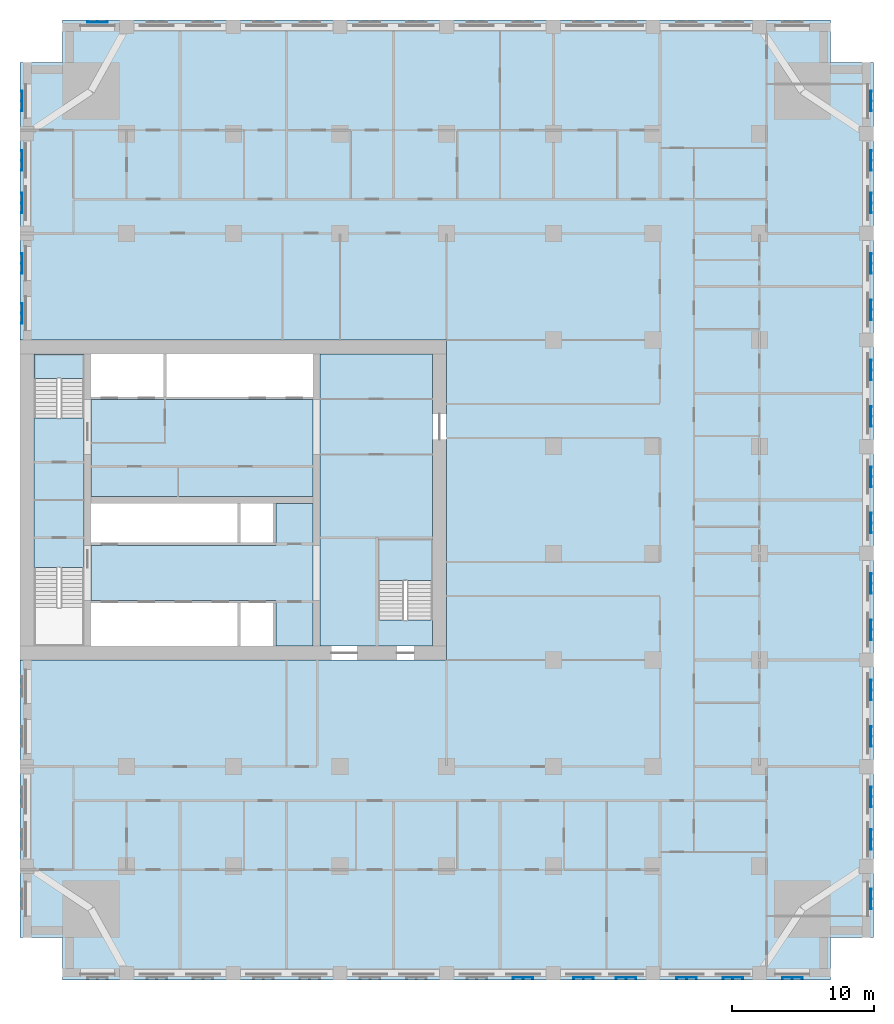
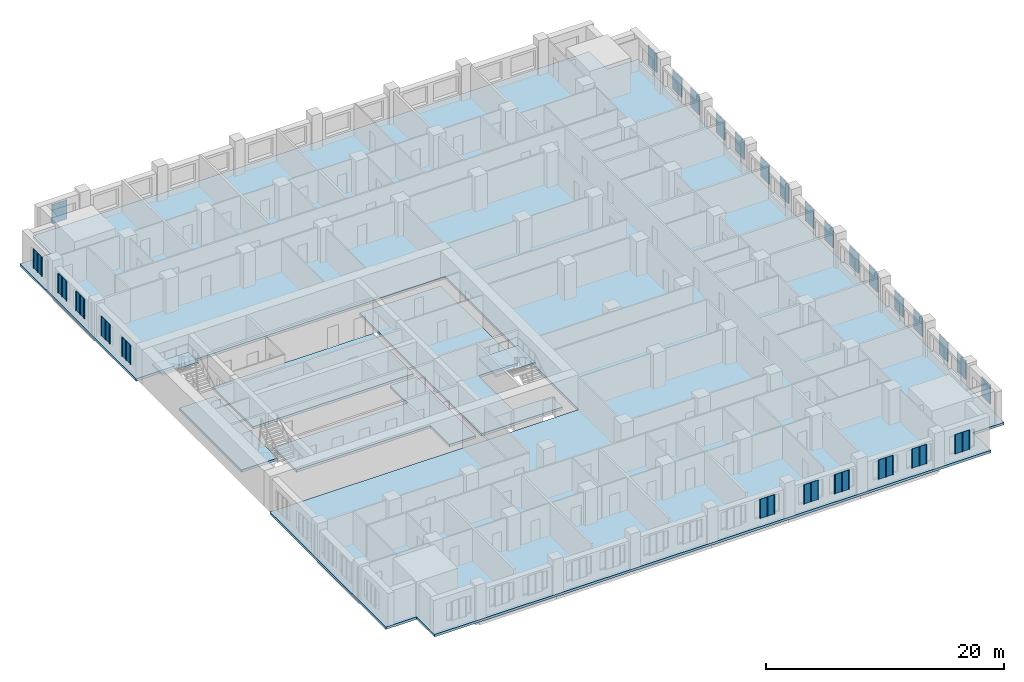
# One storey, part 2 of 14: 28 plates, 7 slabs, 2 elements without a shape of their own.
"""IFC4 building model written with IfcOpenShell, lengths in metres."""

from ifc_helpers import new_model, si_unit, direction, frame, origin, place, context, subcontext, project, spatial, polyline, outline, extrude, material, layer, layer_set, type_object, element, aggregate, save


model = new_model("IFC4")

# Units and contexts
model_context = context("Model", 3, precision=1e-05, world=origin(), true_north=direction((0.0, 1.0)))
body_context = subcontext(model_context, "Body", "Model", "MODEL_VIEW")
ifc_project = project(units=[si_unit("LENGTHUNIT", "METRE"), si_unit("AREAUNIT", "SQUARE_METRE"), si_unit("VOLUMEUNIT", "CUBIC_METRE"), si_unit("PLANEANGLEUNIT", "RADIAN"), si_unit("MASSUNIT", "GRAM", prefix="KILO")], contexts=[model_context])

# Site, building, storey
site_placement = place(None, origin())
site = spatial("IfcSite", under=ifc_project, at=site_placement, CompositionType="ELEMENT")
building_placement = place(site_placement, origin())
building = spatial("IfcBuilding", under=site, at=building_placement, Name="Tamorin Gate", CompositionType="ELEMENT")
storey_placement = place(building_placement, frame((0.0, 0.0, 52.0)))
storey = spatial("IfcBuildingStorey", under=building, at=storey_placement, Name="L11", CompositionType="ELEMENT", Elevation=52.0)

# Slabs
ifc_material_1 = material(Name="Concrete C40/50", Category="concrete")
ifc_layer_1 = layer(ifc_material_1, 0.25)
ifc_layer_set_1 = layer_set([ifc_layer_1], Name="Core floor slab 250 C40/50")
slab_type_1 = type_object("IfcSlabType", Name="Core floor slab 250 C40/50", PredefinedType="FLOOR", material=ifc_layer_set_1)
slab_1_placement = place(storey_placement, frame((0.0, 0.0, -0.25)))
element("IfcSlab", 1, at=slab_1_placement, inside=storey, type_object=slab_type_1, Name="Core floor L11", PredefinedType="FLOOR", context=body_context, shape_type="SweptSolid", body=[
    extrude(outline(polyline([(59.0, 62.800048828125), (59.0, 61.0), (51.10009765625, 61.0), (51.10009765625, 81.5), (59.0, 81.5), (59.0, 68.5), (55.199951171875, 68.5), (55.199951171875, 62.800048828125), (59.0, 62.800048828125)])), origin(), (0.0, 0.0, 1.0), 0.25),
])
slab_2_placement = place(storey_placement, frame((0.0, 0.0, -0.25)))
element("IfcSlab", 2, at=slab_2_placement, inside=storey, type_object=slab_type_1, Name="Core floor L11", PredefinedType="FLOOR", context=body_context, shape_type="SweptSolid", body=[
    extrude(outline(polyline([(50.60009765625, 61.0), (48.0, 61.0), (48.0, 64.199951171875), (35.0, 64.199951171875), (35.0, 68.050048828125), (48.0, 68.050048828125), (48.0, 71.0), (50.60009765625, 71.0), (50.60009765625, 61.0)])), origin(), (0.0, 0.0, 1.0), 0.25),
])
slab_3_placement = place(storey_placement, frame((0.0, 0.0, -0.25)))
element("IfcSlab", 3, at=slab_3_placement, inside=storey, type_object=slab_type_1, Name="Core floor L11", PredefinedType="FLOOR", context=body_context, shape_type="SweptSolid", body=[
    extrude(outline(polyline([(50.60009765625, 71.5), (35.0, 71.5), (35.0, 78.300048828125), (50.60009765625, 78.300048828125), (50.60009765625, 71.5)])), origin(), (0.0, 0.0, 1.0), 0.25),
])
slab_4_placement = place(storey_placement, frame((0.0, 0.0, -0.25)))
element("IfcSlab", 4, at=slab_4_placement, inside=storey, type_object=slab_type_1, Name="Core floor L11", PredefinedType="FLOOR", context=body_context, shape_type="SweptSolid", body=[
    extrude(outline(polyline([(31.0, 66.5), (31.0, 77.0), (34.5, 77.0), (34.5, 66.5), (31.0, 66.5)])), origin(), (0.0, 0.0, 1.0), 0.25),
])

# Stair, slab
stair_type = type_object("IfcStairType", Name="Exit stair", PredefinedType="HALF_TURN_STAIR", material=ifc_material_1)
stair_1_placement = place(storey_placement, origin())
stair_1 = element("IfcStair", 5, at=stair_1_placement, inside=storey, type_object=stair_type, Name="L11 stair ST2", PredefinedType="HALF_TURN_STAIR")
ifc_layer_2 = layer(ifc_material_1, 0.199951171875)
ifc_layer_set_2 = layer_set([ifc_layer_2], Name="Exit stair landing 200")
slab_type_2 = type_object("IfcSlabType", Name="Exit stair landing 200", PredefinedType="LANDING", material=ifc_layer_set_2)
slab_5_placement = place(storey_placement, frame((0.0, 0.0, 1.60009765625)))
slab_5 = element("IfcSlab", 6, at=slab_5_placement, type_object=slab_type_2, Name="ST2 landing 1", PredefinedType="LANDING", context=body_context, shape_type="SweptSolid", body=[
    extrude(outline(polyline([(34.5, 79.800048828125), (34.5, 81.5), (31.0, 81.5), (31.0, 79.800048828125), (34.5, 79.800048828125)])), origin(), (0.0, 0.0, 1.0), 0.199951171875),
])
aggregate(stair_1, [slab_5])

stair_2_placement = place(storey_placement, origin())
stair_2 = element("IfcStair", 7, at=stair_2_placement, inside=storey, type_object=stair_type, Name="L11 stair ST3", PredefinedType="HALF_TURN_STAIR")
slab_6_placement = place(storey_placement, frame((0.0, 0.0, 1.60009765625)))
slab_6 = element("IfcSlab", 8, at=slab_6_placement, type_object=slab_type_2, Name="ST3 landing 1", PredefinedType="LANDING", context=body_context, shape_type="SweptSolid", body=[
    extrude(outline(polyline([(59.0, 65.60009765625), (59.0, 68.5), (55.199951171875, 68.5), (55.199951171875, 65.60009765625), (59.0, 65.60009765625)])), origin(), (0.0, 0.0, 1.0), 0.199951171875),
])
aggregate(stair_2, [slab_6])

# Slab
ifc_layer_3 = layer(ifc_material_1, 0.25)
ifc_layer_set_3 = layer_set([ifc_layer_3], Name="Floor slab 250 C40/50")
slab_type_3 = type_object("IfcSlabType", Name="Floor slab 250 C40/50", PredefinedType="FLOOR", material=ifc_layer_set_3)
slab_7_placement = place(storey_placement, frame((0.0, 0.0, -0.25)))
element("IfcSlab", 9, at=slab_7_placement, inside=storey, type_object=slab_type_3, Name="Floor L11", PredefinedType="FLOOR", context=body_context, shape_type="SweptSolid", body=[
    extrude(outline(polyline([(30.0, 102.0), (33.0, 102.0), (33.0, 105.0), (87.0, 105.0), (87.0, 102.0), (90.0, 102.0), (90.0, 40.5), (87.0, 40.5), (87.0, 37.5), (33.0, 37.5), (33.0, 40.5), (30.0, 40.5), (30.0, 60.0), (60.0, 60.0), (60.0, 82.5), (30.0, 82.5), (30.0, 102.0)])), origin(), (0.0, 0.0, 1.0), 0.25),
])

# Plates
ifc_material_2 = material(Name="Perforated pale aluminium sheet", Category="aluminium")
ifc_layer_4 = layer(ifc_material_2, 0.0400390625)
ifc_layer_set_4 = layer_set([ifc_layer_4], Name="Pale metal solar screen 1440")
plate_type = type_object("IfcPlateType", Name="Pale metal solar screen 1440", PredefinedType="SHEET", material=ifc_layer_set_4)
plate_1_placement = place(storey_placement, frame((0.0, 0.0, 0.7099609375)))
element("IfcPlate", 10, at=plate_1_placement, inside=storey, type_object=plate_type, Name="Perforated solar screen", PredefinedType="SHEET", context=body_context, shape_type="SweptSolid", body=[
    extrude(outline(polyline([(64.655029296875, 37.659912109375), (64.655029296875, 37.699951171875), (64.715087890625, 37.699951171875), (65.344970703125, 37.699951171875), (65.405029296875, 37.699951171875), (66.034912109375, 37.699951171875), (66.094970703125, 37.699951171875), (66.094970703125, 37.659912109375), (66.094970703125, 37.60009765625), (66.034912109375, 37.60009765625), (66.034912109375, 37.659912109375), (65.405029296875, 37.659912109375), (65.405029296875, 37.60009765625), (65.344970703125, 37.60009765625), (65.344970703125, 37.659912109375), (64.715087890625, 37.659912109375), (64.715087890625, 37.60009765625), (64.655029296875, 37.60009765625), (64.655029296875, 37.659912109375)])), origin(), (0.0, 0.0, 1.0), 1.97998046875),
])
plate_2_placement = place(storey_placement, frame((0.0, 0.0, 0.7099609375)))
element("IfcPlate", 11, at=plate_2_placement, inside=storey, type_object=plate_type, Name="Perforated solar screen", PredefinedType="SHEET", context=body_context, shape_type="SweptSolid", body=[
    extrude(outline(polyline([(68.905029296875, 37.659912109375), (68.905029296875, 37.699951171875), (68.965087890625, 37.699951171875), (69.594970703125, 37.699951171875), (69.655029296875, 37.699951171875), (70.284912109375, 37.699951171875), (70.344970703125, 37.699951171875), (70.344970703125, 37.659912109375), (70.344970703125, 37.60009765625), (70.284912109375, 37.60009765625), (70.284912109375, 37.659912109375), (69.655029296875, 37.659912109375), (69.655029296875, 37.60009765625), (69.594970703125, 37.60009765625), (69.594970703125, 37.659912109375), (68.965087890625, 37.659912109375), (68.965087890625, 37.60009765625), (68.905029296875, 37.60009765625), (68.905029296875, 37.659912109375)])), origin(), (0.0, 0.0, 1.0), 1.97998046875),
])
plate_3_placement = place(storey_placement, frame((0.0, 0.0, 0.7099609375)))
element("IfcPlate", 12, at=plate_3_placement, inside=storey, type_object=plate_type, Name="Perforated solar screen", PredefinedType="SHEET", context=body_context, shape_type="SweptSolid", body=[
    extrude(outline(polyline([(71.905029296875, 37.659912109375), (71.905029296875, 37.699951171875), (71.965087890625, 37.699951171875), (72.594970703125, 37.699951171875), (72.655029296875, 37.699951171875), (73.284912109375, 37.699951171875), (73.344970703125, 37.699951171875), (73.344970703125, 37.659912109375), (73.344970703125, 37.60009765625), (73.284912109375, 37.60009765625), (73.284912109375, 37.659912109375), (72.655029296875, 37.659912109375), (72.655029296875, 37.60009765625), (72.594970703125, 37.60009765625), (72.594970703125, 37.659912109375), (71.965087890625, 37.659912109375), (71.965087890625, 37.60009765625), (71.905029296875, 37.60009765625), (71.905029296875, 37.659912109375)])), origin(), (0.0, 0.0, 1.0), 1.97998046875),
])
plate_4_placement = place(storey_placement, frame((0.0, 0.0, 0.7099609375)))
element("IfcPlate", 13, at=plate_4_placement, inside=storey, type_object=plate_type, Name="Perforated solar screen", PredefinedType="SHEET", context=body_context, shape_type="SweptSolid", body=[
    extrude(outline(polyline([(76.155029296875, 37.659912109375), (76.155029296875, 37.699951171875), (76.215087890625, 37.699951171875), (76.844970703125, 37.699951171875), (76.905029296875, 37.699951171875), (77.534912109375, 37.699951171875), (77.594970703125, 37.699951171875), (77.594970703125, 37.659912109375), (77.594970703125, 37.60009765625), (77.534912109375, 37.60009765625), (77.534912109375, 37.659912109375), (76.905029296875, 37.659912109375), (76.905029296875, 37.60009765625), (76.844970703125, 37.60009765625), (76.844970703125, 37.659912109375), (76.215087890625, 37.659912109375), (76.215087890625, 37.60009765625), (76.155029296875, 37.60009765625), (76.155029296875, 37.659912109375)])), origin(), (0.0, 0.0, 1.0), 1.97998046875),
])
plate_5_placement = place(storey_placement, frame((0.0, 0.0, 0.7099609375)))
element("IfcPlate", 14, at=plate_5_placement, inside=storey, type_object=plate_type, Name="Perforated solar screen", PredefinedType="SHEET", context=body_context, shape_type="SweptSolid", body=[
    extrude(outline(polyline([(79.405029296875, 37.659912109375), (79.405029296875, 37.699951171875), (79.465087890625, 37.699951171875), (80.094970703125, 37.699951171875), (80.155029296875, 37.699951171875), (80.784912109375, 37.699951171875), (80.844970703125, 37.699951171875), (80.844970703125, 37.659912109375), (80.844970703125, 37.60009765625), (80.784912109375, 37.60009765625), (80.784912109375, 37.659912109375), (80.155029296875, 37.659912109375), (80.155029296875, 37.60009765625), (80.094970703125, 37.60009765625), (80.094970703125, 37.659912109375), (79.465087890625, 37.659912109375), (79.465087890625, 37.60009765625), (79.405029296875, 37.60009765625), (79.405029296875, 37.659912109375)])), origin(), (0.0, 0.0, 1.0), 1.97998046875),
])
plate_6_placement = place(storey_placement, frame((0.0, 0.0, 0.7099609375)))
element("IfcPlate", 15, at=plate_6_placement, inside=storey, type_object=plate_type, Name="Perforated solar screen", PredefinedType="SHEET", context=body_context, shape_type="SweptSolid", body=[
    extrude(outline(polyline([(83.580078125, 37.659912109375), (83.580078125, 37.699951171875), (83.639892578125, 37.699951171875), (84.27001953125, 37.699951171875), (84.330078125, 37.699951171875), (84.9599609375, 37.699951171875), (85.02001953125, 37.699951171875), (85.02001953125, 37.659912109375), (85.02001953125, 37.60009765625), (84.9599609375, 37.60009765625), (84.9599609375, 37.659912109375), (84.330078125, 37.659912109375), (84.330078125, 37.60009765625), (84.27001953125, 37.60009765625), (84.27001953125, 37.659912109375), (83.639892578125, 37.659912109375), (83.639892578125, 37.60009765625), (83.580078125, 37.60009765625), (83.580078125, 37.659912109375)])), origin(), (0.0, 0.0, 1.0), 1.97998046875),
])
plate_7_placement = place(storey_placement, frame((0.0, 0.0, 0.7099609375)))
element("IfcPlate", 16, at=plate_7_placement, inside=storey, type_object=plate_type, Name="Perforated solar screen", PredefinedType="SHEET", context=body_context, shape_type="SweptSolid", body=[
    extrude(outline(polyline([(89.840087890625, 42.47998046875), (89.800048828125, 42.47998046875), (89.800048828125, 42.5400390625), (89.800048828125, 43.169921875), (89.800048828125, 43.22998046875), (89.800048828125, 43.860107421875), (89.800048828125, 43.919921875), (89.840087890625, 43.919921875), (89.89990234375, 43.919921875), (89.89990234375, 43.860107421875), (89.840087890625, 43.860107421875), (89.840087890625, 43.22998046875), (89.89990234375, 43.22998046875), (89.89990234375, 43.169921875), (89.840087890625, 43.169921875), (89.840087890625, 42.5400390625), (89.89990234375, 42.5400390625), (89.89990234375, 42.47998046875), (89.840087890625, 42.47998046875)])), origin(), (0.0, 0.0, 1.0), 1.97998046875),
])
plate_8_placement = place(storey_placement, frame((0.0, 0.0, 0.7099609375)))
element("IfcPlate", 17, at=plate_8_placement, inside=storey, type_object=plate_type, Name="Perforated solar screen", PredefinedType="SHEET", context=body_context, shape_type="SweptSolid", body=[
    extrude(outline(polyline([(89.840087890625, 46.655029296875), (89.800048828125, 46.655029296875), (89.800048828125, 46.715087890625), (89.800048828125, 47.344970703125), (89.800048828125, 47.405029296875), (89.800048828125, 48.034912109375), (89.800048828125, 48.094970703125), (89.800048828125, 48.094970703125), (89.840087890625, 48.094970703125), (89.840087890625, 48.094970703125), (89.89990234375, 48.094970703125), (89.89990234375, 48.034912109375), (89.840087890625, 48.034912109375), (89.840087890625, 47.405029296875), (89.89990234375, 47.405029296875), (89.89990234375, 47.344970703125), (89.840087890625, 47.344970703125), (89.840087890625, 46.715087890625), (89.89990234375, 46.715087890625), (89.89990234375, 46.655029296875), (89.840087890625, 46.655029296875)])), origin(), (0.0, 0.0, 1.0), 1.97998046875),
])
plate_9_placement = place(storey_placement, frame((0.0, 0.0, 0.7099609375)))
element("IfcPlate", 18, at=plate_9_placement, inside=storey, type_object=plate_type, Name="Perforated solar screen", PredefinedType="SHEET", context=body_context, shape_type="SweptSolid", body=[
    extrude(outline(polyline([(89.840087890625, 49.655029296875), (89.800048828125, 49.655029296875), (89.800048828125, 49.715087890625), (89.800048828125, 50.344970703125), (89.800048828125, 50.405029296875), (89.800048828125, 51.034912109375), (89.800048828125, 51.094970703125), (89.840087890625, 51.094970703125), (89.89990234375, 51.094970703125), (89.89990234375, 51.034912109375), (89.840087890625, 51.034912109375), (89.840087890625, 50.405029296875), (89.89990234375, 50.405029296875), (89.89990234375, 50.344970703125), (89.840087890625, 50.344970703125), (89.840087890625, 49.715087890625), (89.89990234375, 49.715087890625), (89.89990234375, 49.655029296875), (89.840087890625, 49.655029296875)])), origin(), (0.0, 0.0, 1.0), 1.97998046875),
])
plate_10_placement = place(storey_placement, frame((0.0, 0.0, 0.7099609375)))
element("IfcPlate", 19, at=plate_10_placement, inside=storey, type_object=plate_type, Name="Perforated solar screen", PredefinedType="SHEET", context=body_context, shape_type="SweptSolid", body=[
    extrude(outline(polyline([(89.840087890625, 53.905029296875), (89.800048828125, 53.905029296875), (89.800048828125, 53.965087890625), (89.800048828125, 54.594970703125), (89.800048828125, 54.655029296875), (89.800048828125, 55.284912109375), (89.800048828125, 55.344970703125), (89.840087890625, 55.344970703125), (89.89990234375, 55.344970703125), (89.89990234375, 55.284912109375), (89.840087890625, 55.284912109375), (89.840087890625, 54.655029296875), (89.89990234375, 54.655029296875), (89.89990234375, 54.594970703125), (89.840087890625, 54.594970703125), (89.840087890625, 53.965087890625), (89.89990234375, 53.965087890625), (89.89990234375, 53.905029296875), (89.840087890625, 53.905029296875)])), origin(), (0.0, 0.0, 1.0), 1.97998046875),
])
plate_11_placement = place(storey_placement, frame((0.0, 0.0, 0.7099609375)))
element("IfcPlate", 20, at=plate_11_placement, inside=storey, type_object=plate_type, Name="Perforated solar screen", PredefinedType="SHEET", context=body_context, shape_type="SweptSolid", body=[
    extrude(outline(polyline([(89.840087890625, 57.155029296875), (89.800048828125, 57.155029296875), (89.800048828125, 57.215087890625), (89.800048828125, 57.844970703125), (89.800048828125, 57.905029296875), (89.800048828125, 58.534912109375), (89.800048828125, 58.594970703125), (89.840087890625, 58.594970703125), (89.89990234375, 58.594970703125), (89.89990234375, 58.534912109375), (89.840087890625, 58.534912109375), (89.840087890625, 57.905029296875), (89.89990234375, 57.905029296875), (89.89990234375, 57.844970703125), (89.840087890625, 57.844970703125), (89.840087890625, 57.215087890625), (89.89990234375, 57.215087890625), (89.89990234375, 57.155029296875), (89.840087890625, 57.155029296875)])), origin(), (0.0, 0.0, 1.0), 1.97998046875),
])
plate_12_placement = place(storey_placement, frame((0.0, 0.0, 0.7099609375)))
element("IfcPlate", 21, at=plate_12_placement, inside=storey, type_object=plate_type, Name="Perforated solar screen", PredefinedType="SHEET", context=body_context, shape_type="SweptSolid", body=[
    extrude(outline(polyline([(89.840087890625, 61.405029296875), (89.800048828125, 61.405029296875), (89.800048828125, 61.465087890625), (89.800048828125, 62.094970703125), (89.800048828125, 62.155029296875), (89.800048828125, 62.784912109375), (89.800048828125, 62.844970703125), (89.840087890625, 62.844970703125), (89.89990234375, 62.844970703125), (89.89990234375, 62.784912109375), (89.840087890625, 62.784912109375), (89.840087890625, 62.155029296875), (89.89990234375, 62.155029296875), (89.89990234375, 62.094970703125), (89.840087890625, 62.094970703125), (89.840087890625, 61.465087890625), (89.89990234375, 61.465087890625), (89.89990234375, 61.405029296875), (89.840087890625, 61.405029296875)])), origin(), (0.0, 0.0, 1.0), 1.97998046875),
])
plate_13_placement = place(storey_placement, frame((0.0, 0.0, 0.7099609375)))
element("IfcPlate", 22, at=plate_13_placement, inside=storey, type_object=plate_type, Name="Perforated solar screen", PredefinedType="SHEET", context=body_context, shape_type="SweptSolid", body=[
    extrude(outline(polyline([(89.840087890625, 64.655029296875), (89.800048828125, 64.655029296875), (89.800048828125, 64.715087890625), (89.800048828125, 65.344970703125), (89.800048828125, 65.405029296875), (89.800048828125, 66.034912109375), (89.800048828125, 66.094970703125), (89.840087890625, 66.094970703125), (89.89990234375, 66.094970703125), (89.89990234375, 66.034912109375), (89.840087890625, 66.034912109375), (89.840087890625, 65.405029296875), (89.89990234375, 65.405029296875), (89.89990234375, 65.344970703125), (89.840087890625, 65.344970703125), (89.840087890625, 64.715087890625), (89.89990234375, 64.715087890625), (89.89990234375, 64.655029296875), (89.840087890625, 64.655029296875)])), origin(), (0.0, 0.0, 1.0), 1.97998046875),
])
plate_14_placement = place(storey_placement, frame((0.0, 0.0, 0.7099609375)))
element("IfcPlate", 23, at=plate_14_placement, inside=storey, type_object=plate_type, Name="Perforated solar screen", PredefinedType="SHEET", context=body_context, shape_type="SweptSolid", body=[
    extrude(outline(polyline([(89.840087890625, 68.905029296875), (89.800048828125, 68.905029296875), (89.800048828125, 68.965087890625), (89.800048828125, 69.594970703125), (89.800048828125, 69.655029296875), (89.800048828125, 70.284912109375), (89.800048828125, 70.344970703125), (89.840087890625, 70.344970703125), (89.89990234375, 70.344970703125), (89.89990234375, 70.284912109375), (89.840087890625, 70.284912109375), (89.840087890625, 69.655029296875), (89.89990234375, 69.655029296875), (89.89990234375, 69.594970703125), (89.840087890625, 69.594970703125), (89.840087890625, 68.965087890625), (89.89990234375, 68.965087890625), (89.89990234375, 68.905029296875), (89.840087890625, 68.905029296875)])), origin(), (0.0, 0.0, 1.0), 1.97998046875),
])
plate_15_placement = place(storey_placement, frame((0.0, 0.0, 0.7099609375)))
element("IfcPlate", 24, at=plate_15_placement, inside=storey, type_object=plate_type, Name="Perforated solar screen", PredefinedType="SHEET", context=body_context, shape_type="SweptSolid", body=[
    extrude(outline(polyline([(89.840087890625, 72.155029296875), (89.800048828125, 72.155029296875), (89.800048828125, 72.215087890625), (89.800048828125, 72.844970703125), (89.800048828125, 72.905029296875), (89.800048828125, 73.534912109375), (89.800048828125, 73.594970703125), (89.840087890625, 73.594970703125), (89.89990234375, 73.594970703125), (89.89990234375, 73.534912109375), (89.840087890625, 73.534912109375), (89.840087890625, 72.905029296875), (89.89990234375, 72.905029296875), (89.89990234375, 72.844970703125), (89.840087890625, 72.844970703125), (89.840087890625, 72.215087890625), (89.89990234375, 72.215087890625), (89.89990234375, 72.155029296875), (89.840087890625, 72.155029296875)])), origin(), (0.0, 0.0, 1.0), 1.97998046875),
])
plate_16_placement = place(storey_placement, frame((0.0, 0.0, 0.7099609375)))
element("IfcPlate", 25, at=plate_16_placement, inside=storey, type_object=plate_type, Name="Perforated solar screen", PredefinedType="SHEET", context=body_context, shape_type="SweptSolid", body=[
    extrude(outline(polyline([(89.840087890625, 76.405029296875), (89.800048828125, 76.405029296875), (89.800048828125, 76.465087890625), (89.800048828125, 77.094970703125), (89.800048828125, 77.155029296875), (89.800048828125, 77.784912109375), (89.800048828125, 77.844970703125), (89.840087890625, 77.844970703125), (89.89990234375, 77.844970703125), (89.89990234375, 77.784912109375), (89.840087890625, 77.784912109375), (89.840087890625, 77.155029296875), (89.89990234375, 77.155029296875), (89.89990234375, 77.094970703125), (89.840087890625, 77.094970703125), (89.840087890625, 76.465087890625), (89.89990234375, 76.465087890625), (89.89990234375, 76.405029296875), (89.840087890625, 76.405029296875)])), origin(), (0.0, 0.0, 1.0), 1.97998046875),
])
plate_17_placement = place(storey_placement, frame((0.0, 0.0, 0.7099609375)))
element("IfcPlate", 26, at=plate_17_placement, inside=storey, type_object=plate_type, Name="Perforated solar screen", PredefinedType="SHEET", context=body_context, shape_type="SweptSolid", body=[
    extrude(outline(polyline([(89.840087890625, 79.655029296875), (89.800048828125, 79.655029296875), (89.800048828125, 79.715087890625), (89.800048828125, 80.344970703125), (89.800048828125, 80.405029296875), (89.800048828125, 81.034912109375), (89.800048828125, 81.094970703125), (89.840087890625, 81.094970703125), (89.89990234375, 81.094970703125), (89.89990234375, 81.034912109375), (89.840087890625, 81.034912109375), (89.840087890625, 80.405029296875), (89.89990234375, 80.405029296875), (89.89990234375, 80.344970703125), (89.840087890625, 80.344970703125), (89.840087890625, 79.715087890625), (89.89990234375, 79.715087890625), (89.89990234375, 79.655029296875), (89.840087890625, 79.655029296875)])), origin(), (0.0, 0.0, 1.0), 1.97998046875),
])
plate_18_placement = place(storey_placement, frame((0.0, 0.0, 0.7099609375)))
element("IfcPlate", 27, at=plate_18_placement, inside=storey, type_object=plate_type, Name="Perforated solar screen", PredefinedType="SHEET", context=body_context, shape_type="SweptSolid", body=[
    extrude(outline(polyline([(89.840087890625, 83.905029296875), (89.800048828125, 83.905029296875), (89.800048828125, 83.965087890625), (89.800048828125, 84.594970703125), (89.800048828125, 84.655029296875), (89.800048828125, 85.284912109375), (89.800048828125, 85.344970703125), (89.840087890625, 85.344970703125), (89.89990234375, 85.344970703125), (89.89990234375, 85.284912109375), (89.840087890625, 85.284912109375), (89.840087890625, 84.655029296875), (89.89990234375, 84.655029296875), (89.89990234375, 84.594970703125), (89.840087890625, 84.594970703125), (89.840087890625, 83.965087890625), (89.89990234375, 83.965087890625), (89.89990234375, 83.905029296875), (89.840087890625, 83.905029296875)])), origin(), (0.0, 0.0, 1.0), 1.97998046875),
])
plate_19_placement = place(storey_placement, frame((0.0, 0.0, 0.7099609375)))
element("IfcPlate", 28, at=plate_19_placement, inside=storey, type_object=plate_type, Name="Perforated solar screen", PredefinedType="SHEET", context=body_context, shape_type="SweptSolid", body=[
    extrude(outline(polyline([(89.840087890625, 87.155029296875), (89.800048828125, 87.155029296875), (89.800048828125, 87.215087890625), (89.800048828125, 87.844970703125), (89.800048828125, 87.905029296875), (89.800048828125, 88.534912109375), (89.800048828125, 88.594970703125), (89.840087890625, 88.594970703125), (89.89990234375, 88.594970703125), (89.89990234375, 88.534912109375), (89.840087890625, 88.534912109375), (89.840087890625, 87.905029296875), (89.89990234375, 87.905029296875), (89.89990234375, 87.844970703125), (89.840087890625, 87.844970703125), (89.840087890625, 87.215087890625), (89.89990234375, 87.215087890625), (89.89990234375, 87.155029296875), (89.840087890625, 87.155029296875)])), origin(), (0.0, 0.0, 1.0), 1.97998046875),
])
plate_20_placement = place(storey_placement, frame((0.0, 0.0, 0.7099609375)))
element("IfcPlate", 29, at=plate_20_placement, inside=storey, type_object=plate_type, Name="Perforated solar screen", PredefinedType="SHEET", context=body_context, shape_type="SweptSolid", body=[
    extrude(outline(polyline([(89.840087890625, 91.405029296875), (89.800048828125, 91.405029296875), (89.800048828125, 91.465087890625), (89.800048828125, 92.094970703125), (89.800048828125, 92.155029296875), (89.800048828125, 92.784912109375), (89.800048828125, 92.844970703125), (89.840087890625, 92.844970703125), (89.89990234375, 92.844970703125), (89.89990234375, 92.784912109375), (89.840087890625, 92.784912109375), (89.840087890625, 92.155029296875), (89.89990234375, 92.155029296875), (89.89990234375, 92.094970703125), (89.840087890625, 92.094970703125), (89.840087890625, 91.465087890625), (89.89990234375, 91.465087890625), (89.89990234375, 91.405029296875), (89.840087890625, 91.405029296875)])), origin(), (0.0, 0.0, 1.0), 1.97998046875),
])
plate_21_placement = place(storey_placement, frame((0.0, 0.0, 0.7099609375)))
element("IfcPlate", 30, at=plate_21_placement, inside=storey, type_object=plate_type, Name="Perforated solar screen", PredefinedType="SHEET", context=body_context, shape_type="SweptSolid", body=[
    extrude(outline(polyline([(89.840087890625, 94.405029296875), (89.800048828125, 94.405029296875), (89.800048828125, 94.465087890625), (89.800048828125, 95.094970703125), (89.800048828125, 95.155029296875), (89.800048828125, 95.784912109375), (89.800048828125, 95.844970703125), (89.840087890625, 95.844970703125), (89.89990234375, 95.844970703125), (89.89990234375, 95.784912109375), (89.840087890625, 95.784912109375), (89.840087890625, 95.155029296875), (89.89990234375, 95.155029296875), (89.89990234375, 95.094970703125), (89.840087890625, 95.094970703125), (89.840087890625, 94.465087890625), (89.89990234375, 94.465087890625), (89.89990234375, 94.405029296875), (89.840087890625, 94.405029296875)])), origin(), (0.0, 0.0, 1.0), 1.97998046875),
])
plate_22_placement = place(storey_placement, frame((0.0, 0.0, 0.7099609375)))
element("IfcPlate", 31, at=plate_22_placement, inside=storey, type_object=plate_type, Name="Perforated solar screen", PredefinedType="SHEET", context=body_context, shape_type="SweptSolid", body=[
    extrude(outline(polyline([(89.840087890625, 98.580078125), (89.800048828125, 98.580078125), (89.800048828125, 98.639892578125), (89.800048828125, 99.27001953125), (89.800048828125, 99.330078125), (89.800048828125, 99.9599609375), (89.800048828125, 100.02001953125), (89.840087890625, 100.02001953125), (89.89990234375, 100.02001953125), (89.89990234375, 99.9599609375), (89.840087890625, 99.9599609375), (89.840087890625, 99.330078125), (89.89990234375, 99.330078125), (89.89990234375, 99.27001953125), (89.840087890625, 99.27001953125), (89.840087890625, 98.639892578125), (89.89990234375, 98.639892578125), (89.89990234375, 98.580078125), (89.840087890625, 98.580078125)])), origin(), (0.0, 0.0, 1.0), 1.97998046875),
])
plate_23_placement = place(storey_placement, frame((0.0, 0.0, 0.7099609375)))
element("IfcPlate", 32, at=plate_23_placement, inside=storey, type_object=plate_type, Name="Perforated solar screen", PredefinedType="SHEET", context=body_context, shape_type="SweptSolid", body=[
    extrude(outline(polyline([(36.169921875, 104.840087890625), (36.169921875, 104.800048828125), (36.110107421875, 104.800048828125), (35.47998046875, 104.800048828125), (35.419921875, 104.800048828125), (34.7900390625, 104.800048828125), (34.72998046875, 104.800048828125), (34.72998046875, 104.840087890625), (34.72998046875, 104.89990234375), (34.7900390625, 104.89990234375), (34.7900390625, 104.840087890625), (35.419921875, 104.840087890625), (35.419921875, 104.89990234375), (35.47998046875, 104.89990234375), (35.47998046875, 104.840087890625), (36.110107421875, 104.840087890625), (36.110107421875, 104.89990234375), (36.169921875, 104.89990234375), (36.169921875, 104.840087890625)])), origin(), (0.0, 0.0, 1.0), 1.97998046875),
])
plate_24_placement = place(storey_placement, frame((0.0, 0.0, 0.7099609375)))
element("IfcPlate", 33, at=plate_24_placement, inside=storey, type_object=plate_type, Name="Perforated solar screen", PredefinedType="SHEET", context=body_context, shape_type="SweptSolid", body=[
    extrude(outline(polyline([(30.159912109375, 100.02001953125), (30.199951171875, 100.02001953125), (30.199951171875, 99.9599609375), (30.199951171875, 99.330078125), (30.199951171875, 99.27001953125), (30.199951171875, 98.639892578125), (30.199951171875, 98.580078125), (30.159912109375, 98.580078125), (30.10009765625, 98.580078125), (30.10009765625, 98.639892578125), (30.159912109375, 98.639892578125), (30.159912109375, 99.27001953125), (30.10009765625, 99.27001953125), (30.10009765625, 99.330078125), (30.159912109375, 99.330078125), (30.159912109375, 99.9599609375), (30.10009765625, 99.9599609375), (30.10009765625, 100.02001953125), (30.159912109375, 100.02001953125)])), origin(), (0.0, 0.0, 1.0), 1.97998046875),
])
plate_25_placement = place(storey_placement, frame((0.0, 0.0, 0.7099609375)))
element("IfcPlate", 34, at=plate_25_placement, inside=storey, type_object=plate_type, Name="Perforated solar screen", PredefinedType="SHEET", context=body_context, shape_type="SweptSolid", body=[
    extrude(outline(polyline([(30.159912109375, 92.844970703125), (30.199951171875, 92.844970703125), (30.199951171875, 92.784912109375), (30.199951171875, 92.155029296875), (30.199951171875, 92.094970703125), (30.199951171875, 91.465087890625), (30.199951171875, 91.405029296875), (30.159912109375, 91.405029296875), (30.10009765625, 91.405029296875), (30.10009765625, 91.465087890625), (30.159912109375, 91.465087890625), (30.159912109375, 92.094970703125), (30.10009765625, 92.094970703125), (30.10009765625, 92.155029296875), (30.159912109375, 92.155029296875), (30.159912109375, 92.784912109375), (30.10009765625, 92.784912109375), (30.10009765625, 92.844970703125), (30.159912109375, 92.844970703125)])), origin(), (0.0, 0.0, 1.0), 1.97998046875),
])
plate_26_placement = place(storey_placement, frame((0.0, 0.0, 0.7099609375)))
element("IfcPlate", 35, at=plate_26_placement, inside=storey, type_object=plate_type, Name="Perforated solar screen", PredefinedType="SHEET", context=body_context, shape_type="SweptSolid", body=[
    extrude(outline(polyline([(30.159912109375, 95.844970703125), (30.199951171875, 95.844970703125), (30.199951171875, 95.784912109375), (30.199951171875, 95.155029296875), (30.199951171875, 95.094970703125), (30.199951171875, 94.465087890625), (30.199951171875, 94.405029296875), (30.199951171875, 94.405029296875), (30.159912109375, 94.405029296875), (30.159912109375, 94.405029296875), (30.10009765625, 94.405029296875), (30.10009765625, 94.465087890625), (30.159912109375, 94.465087890625), (30.159912109375, 95.094970703125), (30.10009765625, 95.094970703125), (30.10009765625, 95.155029296875), (30.159912109375, 95.155029296875), (30.159912109375, 95.784912109375), (30.10009765625, 95.784912109375), (30.10009765625, 95.844970703125), (30.159912109375, 95.844970703125)])), origin(), (0.0, 0.0, 1.0), 1.97998046875),
])
plate_27_placement = place(storey_placement, frame((0.0, 0.0, 0.7099609375)))
element("IfcPlate", 36, at=plate_27_placement, inside=storey, type_object=plate_type, Name="Perforated solar screen", PredefinedType="SHEET", context=body_context, shape_type="SweptSolid", body=[
    extrude(outline(polyline([(30.159912109375, 85.094970703125), (30.199951171875, 85.094970703125), (30.199951171875, 85.034912109375), (30.199951171875, 84.405029296875), (30.199951171875, 84.344970703125), (30.199951171875, 83.715087890625), (30.199951171875, 83.655029296875), (30.159912109375, 83.655029296875), (30.10009765625, 83.655029296875), (30.10009765625, 83.715087890625), (30.159912109375, 83.715087890625), (30.159912109375, 84.344970703125), (30.10009765625, 84.344970703125), (30.10009765625, 84.405029296875), (30.159912109375, 84.405029296875), (30.159912109375, 85.034912109375), (30.10009765625, 85.034912109375), (30.10009765625, 85.094970703125), (30.159912109375, 85.094970703125)])), origin(), (0.0, 0.0, 1.0), 1.97998046875),
])
plate_28_placement = place(storey_placement, frame((0.0, 0.0, 0.7099609375)))
element("IfcPlate", 37, at=plate_28_placement, inside=storey, type_object=plate_type, Name="Perforated solar screen", PredefinedType="SHEET", context=body_context, shape_type="SweptSolid", body=[
    extrude(outline(polyline([(30.159912109375, 88.594970703125), (30.199951171875, 88.594970703125), (30.199951171875, 88.534912109375), (30.199951171875, 87.905029296875), (30.199951171875, 87.844970703125), (30.199951171875, 87.215087890625), (30.199951171875, 87.155029296875), (30.159912109375, 87.155029296875), (30.10009765625, 87.155029296875), (30.10009765625, 87.215087890625), (30.159912109375, 87.215087890625), (30.159912109375, 87.844970703125), (30.10009765625, 87.844970703125), (30.10009765625, 87.905029296875), (30.159912109375, 87.905029296875), (30.159912109375, 88.534912109375), (30.10009765625, 88.534912109375), (30.10009765625, 88.594970703125), (30.159912109375, 88.594970703125)])), origin(), (0.0, 0.0, 1.0), 1.97998046875),
])

save(model, "model.ifc")
